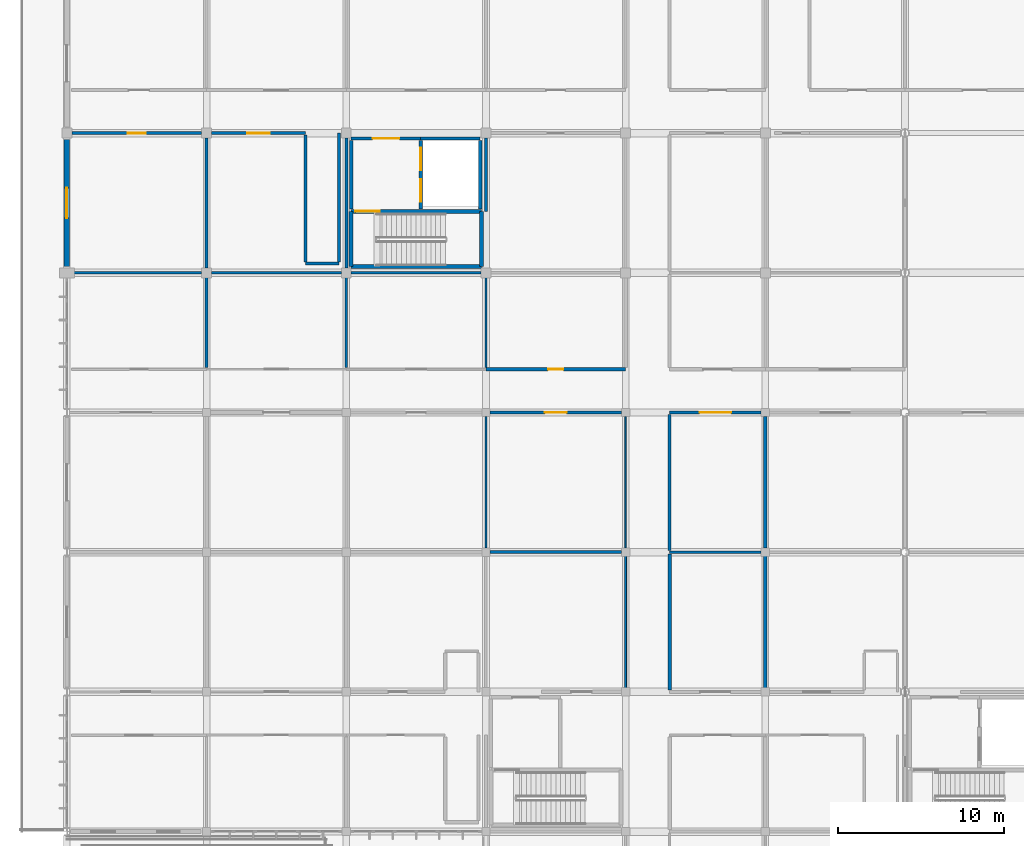
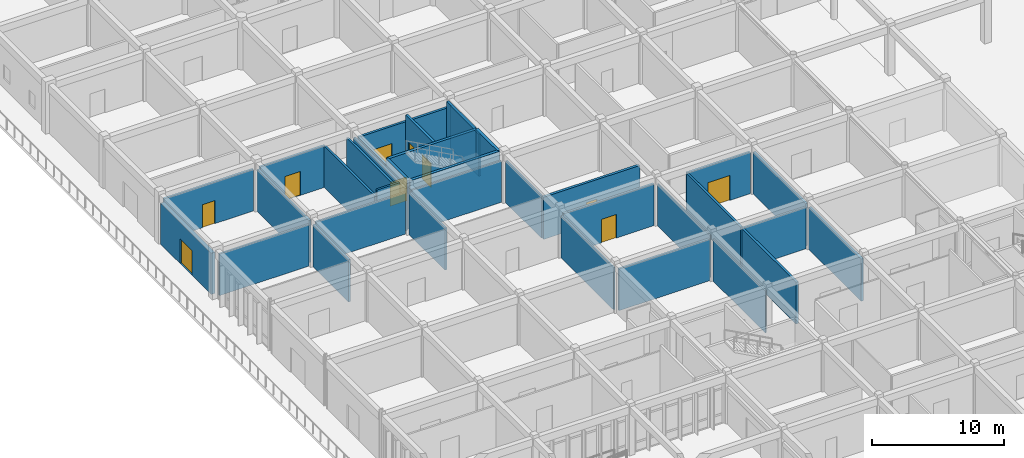
# One storey, part 92 of 138: 36 walls, 10 doors, 10 openings.
"""IFC4 building model written with IfcOpenShell, lengths in metres."""

import ifcopenshell
import ifcopenshell.guid

model = None  # the IFC model being written
_history = None  # IfcOwnerHistory: only IFC2X3 demands one
_inside = {}  # id of a spatial element -> (the spatial element, [elements in it])
_under = {}  # id of a project, library or spatial element -> (it, [spatial elements below it])
_declared = {}  # id of a project -> (the project, [libraries it declares])
_typed = {}  # id of a type object -> (the type object, [elements of that type])
_made_of = {}  # id of a material, layer set ... -> (it, [elements and type objects made of it])


def new_model(schema):
    """Start an empty IFC model of exactly this schema.

    Asked for "IFC4X3", IfcOpenShell would pick the latest addendum, in which some entities
    have other attributes; the version numbers below select the first issue.
    IFC2X3 requires an IfcOwnerHistory on every rooted entity: one is made here for all.
    """
    global model, _history
    if schema == "IFC4X3":
        model = ifcopenshell.file(schema_version=(4, 3, 0, 0))
    else:
        model = ifcopenshell.file(schema=schema)
    _inside.clear()
    _under.clear()
    _declared.clear()
    _typed.clear()
    _made_of.clear()
    _history = None
    if model.schema == "IFC2X3":
        org = make("IfcOrganization", Name="unknown")
        user = make(
            "IfcPersonAndOrganization",
            ThePerson=make("IfcPerson", FamilyName="unknown"),
            TheOrganization=org,
        )
        app = make(
            "IfcApplication",
            ApplicationDeveloper=org,
            Version="unknown",
            ApplicationFullName="unknown",
            ApplicationIdentifier="unknown",
        )
        _history = make(
            "IfcOwnerHistory",
            OwningUser=user,
            OwningApplication=app,
            ChangeAction="ADDED",
            CreationDate=0,
        )
    return model


def make(cls, **values):
    """One entity of the class cls with the attributes given. An attribute that is None is left unset."""
    return model.create_entity(
        cls, **{name: value for name, value in values.items() if value is not None}
    )


def rooted(cls, **values):
    """An entity with a GlobalId (a new one), such as an element, a storey or a relation."""
    return make(cls, GlobalId=ifcopenshell.guid.new(), OwnerHistory=_history, **values)


def si_unit(unit_type, name, prefix=None):
    """IfcSIUnit, for example si_unit("LENGTHUNIT", "METRE", prefix="MILLI")."""
    return make("IfcSIUnit", UnitType=unit_type, Prefix=prefix, Name=name)


def assignment(units):
    """IfcUnitAssignment: the units of a project."""
    return None if units is None else make("IfcUnitAssignment", Units=units)


def point(xyz):
    """IfcCartesianPoint."""
    return None if xyz is None else make("IfcCartesianPoint", Coordinates=xyz)


def direction(xyz):
    """IfcDirection."""
    return None if xyz is None else make("IfcDirection", DirectionRatios=xyz)


def frame(location, z_axis=None, x_axis=None):
    """IfcAxis2Placement3D, a coordinate frame: its origin and axes. An axis left out is left unset."""
    return make(
        "IfcAxis2Placement3D",
        Location=point(location),
        Axis=direction(z_axis),
        RefDirection=direction(x_axis),
    )


def frame_2d(location, x_axis=None):
    """IfcAxis2Placement2D, a coordinate frame in the plane: its origin and x axis."""
    return make(
        "IfcAxis2Placement2D", Location=point(location), RefDirection=direction(x_axis)
    )


def origin():
    """The frame at (0, 0, 0) with its axes left unset."""
    return frame((0.0, 0.0, 0.0))


def place(relative_to, where):
    """IfcLocalPlacement: puts the frame where relative to a parent placement (None: the world)."""
    return make(
        "IfcLocalPlacement", PlacementRelTo=relative_to, RelativePlacement=where
    )


def context(
    kind, dimensions, precision=None, world=None, true_north=None, identifier=None
):
    """IfcGeometricRepresentationContext, for example the 3D "Model" context."""
    return make(
        "IfcGeometricRepresentationContext",
        ContextIdentifier=identifier,
        ContextType=kind,
        CoordinateSpaceDimension=dimensions,
        Precision=precision,
        WorldCoordinateSystem=world,
        TrueNorth=true_north,
    )


def subcontext(parent, identifier, kind, view, scale=None):
    """IfcGeometricRepresentationSubContext, for example "Body" below "Model"."""
    return make(
        "IfcGeometricRepresentationSubContext",
        ContextIdentifier=identifier,
        ContextType=kind,
        ParentContext=parent,
        TargetScale=scale,
        TargetView=view,
    )


def project(units=None, contexts=None):
    """IfcProject with its units and contexts."""
    return rooted(
        "IfcProject",
        Name="project",
        RepresentationContexts=contexts,
        UnitsInContext=assignment(units),
    )


def spatial(cls, under=None, at=None, **own):
    """A site, building, storey or space (cls), placed at a placement, below another one or the project."""
    s = rooted(cls, ObjectPlacement=at, **own)
    if under is not None:
        _under.setdefault(under.id(), (under, []))[1].append(s)
    return s


def profile(cls, at=None, kind="AREA", **sizes):
    """A parametric profile (cls). Its sizes go by their IFC names, for example OverallWidth=200.0."""
    return make(cls, ProfileType=kind, Position=at, **sizes)


def rectangle(**sizes):
    """IfcRectangleProfileDef."""
    return profile("IfcRectangleProfileDef", **sizes)


def extrude(swept, where, along, depth):
    """IfcExtrudedAreaSolid: the profile swept, set in the frame where, extruded along a direction by depth."""
    return make(
        "IfcExtrudedAreaSolid",
        SweptArea=swept,
        Position=where,
        ExtrudedDirection=direction(along),
        Depth=depth,
    )


def shape(context_of_items, identifier, shape_type, items):
    """IfcShapeRepresentation: the items that make up one representation, for example the "Body"."""
    return make(
        "IfcShapeRepresentation",
        ContextOfItems=context_of_items,
        RepresentationIdentifier=identifier,
        RepresentationType=shape_type,
        Items=items,
    )


def material(Name=None, Category=None):
    """IfcMaterial."""
    return make("IfcMaterial", Name=Name, Category=Category)


def layer(
    of_material, thickness, ventilated=None, Name=None, Category=None, Priority=None
):
    """IfcMaterialLayer: one layer of a wall or slab, of a material (None: an air gap)."""
    return make(
        "IfcMaterialLayer",
        Material=of_material,
        LayerThickness=thickness,
        IsVentilated=ventilated,
        Name=Name,
        Category=Category,
        Priority=Priority,
    )


def layer_set(layers, Name=None):
    """IfcMaterialLayerSet."""
    return make("IfcMaterialLayerSet", MaterialLayers=layers, LayerSetName=Name)


def made_of(thing, what):
    """Note that an element or type object is made of a material, layer set ...; save() writes the relation."""
    if what is not None:
        _made_of.setdefault(what.id(), (what, []))[1].append(thing)
    return thing


def type_object(cls, material=None, **own):
    """A type object (cls), such as IfcWallType, which elements share."""
    return made_of(rooted(cls, **own), material)


def element(
    cls,
    number,
    at=None,
    inside=None,
    cuts=None,
    type_object=None,
    material=None,
    context=None,
    identifier="Body",
    shape_type=None,
    held_by="IfcProductDefinitionShape",
    body=None,
    shapes=None,
    **own,
):
    """One element of the class cls, such as IfcWall. Its Tag is "e" and its number.

    at: its placement. inside: the storey or other place that contains it. cuts: it is an
    opening in that element (IfcRelVoidsElement). A single representation is given by context,
    identifier, shape_type and body (its items); several are given by shapes. held_by: the class
    of the entity that holds the representations. save() writes the other relations.
    """
    e = rooted(cls, Tag="e%d" % number, ObjectPlacement=at, **own)
    if body is not None:
        shapes = [shape(context, identifier, shape_type, body)]
    if shapes is not None:
        e.Representation = make(held_by, Representations=shapes)
    if inside is not None:
        _inside.setdefault(inside.id(), (inside, []))[1].append(e)
    if cuts is not None:
        rooted(
            "IfcRelVoidsElement", RelatingBuildingElement=cuts, RelatedOpeningElement=e
        )
    if type_object is not None:
        _typed.setdefault(type_object.id(), (type_object, []))[1].append(e)
    return made_of(e, material)


def fill(opening, filler):
    """IfcRelFillsElement: the door or window that sits in an opening."""
    return rooted(
        "IfcRelFillsElement",
        RelatingOpeningElement=opening,
        RelatedBuildingElement=filler,
    )


def aggregate(whole, parts):
    """IfcRelAggregates: a whole, such as a stair, and the parts it consists of."""
    return rooted("IfcRelAggregates", RelatingObject=whole, RelatedObjects=parts)


def save(model, path):
    """Write the relations noted so far, then the file.

    IfcRelAggregates (storeys below a building ...), IfcRelContainedInSpatialStructure (elements
    in a storey), IfcRelDefinesByType, IfcRelAssociatesMaterial and IfcRelDeclares: one each for
    every whole, place, type object, material and project.
    """
    for whole, parts in _under.values():
        aggregate(whole, parts)
    for where, things in _inside.values():
        rooted(
            "IfcRelContainedInSpatialStructure",
            RelatedElements=things,
            RelatingStructure=where,
        )
    for kind, things in _typed.values():
        rooted("IfcRelDefinesByType", RelatedObjects=things, RelatingType=kind)
    for what, things in _made_of.values():
        rooted("IfcRelAssociatesMaterial", RelatedObjects=things, RelatingMaterial=what)
    for by, libraries in _declared.values():
        rooted("IfcRelDeclares", RelatingContext=by, RelatedDefinitions=libraries)
    model.write(path)


model = new_model("IFC4")

# Units and contexts
model_context = context("Model", 3, precision=1e-05, world=origin(), true_north=direction((0.0, 1.0)))
body_context = subcontext(model_context, "Body", "Model", "MODEL_VIEW")
ifc_project = project(units=[si_unit("LENGTHUNIT", "METRE"), si_unit("AREAUNIT", "SQUARE_METRE"), si_unit("VOLUMEUNIT", "CUBIC_METRE"), si_unit("PLANEANGLEUNIT", "RADIAN"), si_unit("MASSUNIT", "GRAM", prefix="KILO")], contexts=[model_context])

# Site, building, storey
site_placement = place(None, origin())
site = spatial("IfcSite", under=ifc_project, at=site_placement, CompositionType="ELEMENT")
building_placement = place(site_placement, origin())
building = spatial("IfcBuilding", under=site, at=building_placement, Name="Bramfleet General Hospital", CompositionType="ELEMENT")
storey_placement = place(building_placement, origin())
storey = spatial("IfcBuildingStorey", under=building, at=storey_placement, Name="L00", CompositionType="ELEMENT", Elevation=0.0)

# Wall, opening, door
ifc_material_1 = material(Name="Precast concrete C40/50", Category="concrete")
ifc_layer_1 = layer(ifc_material_1, 0.3349609375, Name="WT-EW-03")
ifc_layer_set_1 = layer_set([ifc_layer_1], Name="Precast concrete C40/50")
wall_type_1 = type_object("IfcWallType", Name="WT-EW-03", PredefinedType="SOLIDWALL", material=ifc_layer_set_1)
wall_1_placement = place(storey_placement, frame((0.0, 50.77490234375, 0.0), z_axis=(0.0, 0.0, 1.0), x_axis=(0.0, 1.0, 0.0)))
wall_1 = element("IfcWall", 1, at=wall_1_placement, inside=storey, type_object=wall_type_1, Name="L00 Exterior Wall 99", PredefinedType="SOLIDWALL", context=body_context, shape_type="SweptSolid", body=[
    extrude(rectangle(XDim=7.650146484375, YDim=0.3349609375, at=frame_2d((3.8251953125, 0.0))), origin(), (0.0, 0.0, 1.0), 3.7900390625),
])
opening_1_placement = place(wall_1_placement, frame((2.9150390625, 0.0, 0.0)))
opening_1 = element("IfcOpeningElement", 2, at=opening_1_placement, cuts=wall_1, Name="Opening D-L00-EXT-003", PredefinedType="OPENING", context=body_context, shape_type="SweptSolid", body=[
    extrude(rectangle(XDim=1.820068359375, YDim=2.280029296875, at=frame_2d((0.91015625, 1.14013671875))), frame((0.0, 0.177490234375, 0.0), z_axis=(0.0, -1.0, 0.0), x_axis=(1.0, 0.0, 0.0)), (0.0, 0.0, 1.0), 0.35498046875),
])
ifc_material_2 = material(Name="Thermally broken steel and laminated safety glass", Category="steel")
door_type_1 = type_object("IfcDoorType", Name="DR-ED-02", OperationType="NOTDEFINED", PredefinedType="DOOR", material=ifc_material_2)
door_1_placement = place(opening_1_placement, origin())
door_1 = element("IfcDoor", 3, at=door_1_placement, inside=storey, type_object=door_type_1, Name="Ground Exterior Pedestrian Door D-L00-EXT-003", OperationType="DOUBLE_SWING_LEFT", OverallHeight=2.280029296875, OverallWidth=1.820068359375, PredefinedType="DOOR", context=body_context, shape_type="SweptSolid", body=[
    extrude(rectangle(XDim=1.820068359375, YDim=2.280029296875, at=frame_2d((0.91015625, 1.14013671875))), frame((0.0, 0.02490234375, 0.0), z_axis=(0.0, -1.0, 0.0), x_axis=(1.0, 0.0, 0.0)), (0.0, 0.0, 1.0), 0.050048828125),
])
fill(opening_1, door_1)

ifc_material_3 = material(Name="Concrete C35/45", Category="concrete")
ifc_layer_2 = layer(ifc_material_3, 0.219970703125, Name="WT-IW-01")
ifc_layer_set_2 = layer_set([ifc_layer_2], Name="Concrete C35/45")
wall_type_2 = type_object("IfcWallType", Name="WT-IW-01", PredefinedType="PARTITIONING", material=ifc_layer_set_2)
wall_2_placement = place(storey_placement, frame((25.199951171875, 44.60009765625, 0.0), z_axis=(0.0, 0.0, 1.0), x_axis=(1.0, 0.0, 0.0)))
wall_2 = element("IfcWall", 4, at=wall_2_placement, inside=storey, type_object=wall_type_2, Name="L00 Interior Partition IW-L00-0697", PredefinedType="PARTITIONING", context=body_context, shape_type="SweptSolid", body=[
    extrude(rectangle(XDim=8.400146484375, YDim=0.219970703125, at=frame_2d((4.2001953125, 0.0))), origin(), (0.0, 0.0, 1.0), 3.889892578125),
])
opening_2_placement = place(wall_2_placement, frame((3.739990234375, 0.0, 0.0)))
opening_2 = element("IfcOpeningElement", 5, at=opening_2_placement, cuts=wall_2, Name="Opening D0441", PredefinedType="OPENING", context=body_context, shape_type="SweptSolid", body=[
    extrude(rectangle(XDim=0.919921875, YDim=2.080078125, at=frame_2d((0.4599609375, 1.0400390625))), frame((0.0, 0.119873046875, 0.0), z_axis=(0.0, -1.0, 0.0), x_axis=(1.0, 0.0, 0.0)), (0.0, 0.0, 1.0), 0.239990234375),
])
ifc_material_4 = material(Name="Stainless steel and acoustic timber leaf", Category="steel")
door_type_2 = type_object("IfcDoorType", Name="DR-D-25", OperationType="NOTDEFINED", PredefinedType="DOOR", material=ifc_material_4)
door_2_placement = place(opening_2_placement, origin())
door_2 = element("IfcDoor", 6, at=door_2_placement, inside=storey, type_object=door_type_2, Name="Emergency Department Exam Room 0305 Door D0441", OperationType="SINGLE_SWING_RIGHT", OverallHeight=2.080078125, OverallWidth=0.919921875, PredefinedType="DOOR", context=body_context, shape_type="SweptSolid", body=[
    extrude(rectangle(XDim=0.919921875, YDim=2.080078125, at=frame_2d((0.4599609375, 1.0400390625))), frame((0.0, 0.02490234375, 0.0), z_axis=(0.0, -1.0, 0.0), x_axis=(1.0, 0.0, 0.0)), (0.0, 0.0, 1.0), 0.050048828125),
])
fill(opening_2, door_2)

# Wall, openings, doors
ifc_layer_3 = layer(ifc_material_3, 0.205078125, Name="WT-IW-02")
ifc_layer_set_3 = layer_set([ifc_layer_3], Name="Concrete C35/45")
wall_type_3 = type_object("IfcWallType", Name="WT-IW-02", PredefinedType="PARTITIONING", material=ifc_layer_set_3)
wall_3_placement = place(storey_placement, frame((21.280029296875, 54.239990234375, 0.0), z_axis=(0.0, 0.0, 1.0), x_axis=(0.0, 1.0, 0.0)))
wall_3 = element("IfcWall", 7, at=wall_3_placement, inside=storey, type_object=wall_type_3, Name="L00 C2 Lobby East Shaft Wall", PredefinedType="PARTITIONING", context=body_context, shape_type="SweptSolid", body=[
    extrude(rectangle(XDim=4.1201171875, YDim=0.205078125, at=frame_2d((2.06005859375, 0.0))), origin(), (0.0, 0.0, 1.0), 4.489990234375),
])
opening_3_placement = place(wall_3_placement, frame((0.445068359375, 0.0, 0.0)))
opening_3 = element("IfcOpeningElement", 8, at=opening_3_placement, cuts=wall_3, Name="Opening LD-BL-01-L00", PredefinedType="OPENING", context=body_context, shape_type="SweptSolid", body=[
    extrude(rectangle(XDim=1.35009765625, YDim=2.199951171875, at=frame_2d((0.675048828125, 1.10009765625))), frame((0.0, 0.112548828125, 0.0), z_axis=(0.0, -1.0, 0.0), x_axis=(1.0, 0.0, 0.0)), (0.0, 0.0, 1.0), 0.22509765625),
])
opening_4_placement = place(wall_3_placement, frame((2.324951171875, 0.0, 0.0)))
opening_4 = element("IfcOpeningElement", 9, at=opening_4_placement, cuts=wall_3, Name="Opening LD-GL-01-L00", PredefinedType="OPENING", context=body_context, shape_type="SweptSolid", body=[
    extrude(rectangle(XDim=1.35009765625, YDim=2.199951171875, at=frame_2d((0.675048828125, 1.10009765625))), frame((0.0, 0.112548828125, 0.0), z_axis=(0.0, -1.0, 0.0), x_axis=(1.0, 0.0, 0.0)), (0.0, 0.0, 1.0), 0.22509765625),
])
ifc_material_5 = material(Name="Brushed stainless steel 1.4301", Category="steel")
door_type_3 = type_object("IfcDoorType", Name="DR-LD-01", OperationType="NOTDEFINED", PredefinedType="DOOR", material=ifc_material_5)
door_3_placement = place(opening_3_placement, origin())
door_3 = element("IfcDoor", 10, at=door_3_placement, inside=storey, type_object=door_type_3, Name="L00 Lift BL-01 Sliding Landing Door", OperationType="SLIDING_TO_LEFT", OverallHeight=2.199951171875, OverallWidth=1.35009765625, PredefinedType="DOOR", context=body_context, shape_type="SweptSolid", body=[
    extrude(rectangle(XDim=1.35009765625, YDim=2.199951171875, at=frame_2d((0.675048828125, 1.10009765625))), frame((0.0, 0.02490234375, 0.0), z_axis=(0.0, -1.0, 0.0), x_axis=(1.0, 0.0, 0.0)), (0.0, 0.0, 1.0), 0.050048828125),
])
fill(opening_3, door_3)
door_4_placement = place(opening_4_placement, origin())
door_4 = element("IfcDoor", 11, at=door_4_placement, inside=storey, type_object=door_type_3, Name="L00 Lift GL-01 Sliding Landing Door", OperationType="SLIDING_TO_LEFT", OverallHeight=2.199951171875, OverallWidth=1.35009765625, PredefinedType="DOOR", context=body_context, shape_type="SweptSolid", body=[
    extrude(rectangle(XDim=1.35009765625, YDim=2.199951171875, at=frame_2d((0.675048828125, 1.10009765625))), frame((0.0, 0.02490234375, 0.0), z_axis=(0.0, -1.0, 0.0), x_axis=(1.0, 0.0, 0.0)), (0.0, 0.0, 1.0), 0.050048828125),
])
fill(opening_4, door_4)

# Walls
wall_4_placement = place(storey_placement, frame((24.85009765625, 54.239990234375, 0.0), z_axis=(0.0, 0.0, 1.0), x_axis=(0.0, 1.0, 0.0)))
element("IfcWall", 12, at=wall_4_placement, inside=storey, type_object=wall_type_3, Name="L00 C2 Lift Shaft East Wall", PredefinedType="PARTITIONING", context=body_context, shape_type="SweptSolid", body=[
    extrude(rectangle(XDim=4.1201171875, YDim=0.205078125, at=frame_2d((2.06005859375, 0.0))), origin(), (0.0, 0.0, 1.0), 4.489990234375),
])
wall_5_placement = place(storey_placement, frame((21.280029296875, 58.47998046875, 0.0), z_axis=(0.0, 0.0, 1.0), x_axis=(1.0, 0.0, 0.0)))
element("IfcWall", 13, at=wall_5_placement, inside=storey, type_object=wall_type_3, Name="L00 C2 Lift Shaft North Wall", PredefinedType="PARTITIONING", context=body_context, shape_type="SweptSolid", body=[
    extrude(rectangle(XDim=3.570068359375, YDim=0.205078125, at=frame_2d((1.78515625, 0.0))), origin(), (0.0, 0.0, 1.0), 3.840087890625),
])
wall_6_placement = place(storey_placement, frame((17.10009765625, 54.239990234375, 0.0), z_axis=(0.0, 0.0, 1.0), x_axis=(0.0, 1.0, 0.0)))
element("IfcWall", 14, at=wall_6_placement, inside=storey, type_object=wall_type_3, Name="L00 C2 Lobby West Compartment Wall", PredefinedType="PARTITIONING", context=body_context, shape_type="SweptSolid", body=[
    extrude(rectangle(XDim=4.1201171875, YDim=0.205078125, at=frame_2d((2.06005859375, 0.0))), origin(), (0.0, 0.0, 1.0), 3.889892578125),
])

# Wall, opening, door
wall_7_placement = place(storey_placement, frame((17.10009765625, 58.47998046875, 0.0), z_axis=(0.0, 0.0, 1.0), x_axis=(1.0, 0.0, 0.0)))
wall_7 = element("IfcWall", 15, at=wall_7_placement, inside=storey, type_object=wall_type_3, Name="L00 C2 Lobby North Compartment Wall", PredefinedType="PARTITIONING", context=body_context, shape_type="SweptSolid", body=[
    extrude(rectangle(XDim=4.179931640625, YDim=0.205078125, at=frame_2d((2.08984375, 0.0))), origin(), (0.0, 0.0, 1.0), 3.840087890625),
])
opening_5_placement = place(wall_7_placement, frame((1.2900390625, 0.0, 0.0)))
opening_5 = element("IfcOpeningElement", 16, at=opening_5_placement, cuts=wall_7, Name="Opening D0012", PredefinedType="OPENING", context=body_context, shape_type="SweptSolid", body=[
    extrude(rectangle(XDim=1.60009765625, YDim=2.25, at=frame_2d((0.800048828125, 1.125))), frame((0.0, 0.112548828125, 0.0), z_axis=(0.0, -1.0, 0.0), x_axis=(1.0, 0.0, 0.0)), (0.0, 0.0, 1.0), 0.22509765625),
])
door_type_4 = type_object("IfcDoorType", Name="DR-D-04", OperationType="NOTDEFINED", PredefinedType="DOOR", material=ifc_material_4)
door_5_placement = place(opening_5_placement, origin())
door_5 = element("IfcDoor", 17, at=door_5_placement, inside=storey, type_object=door_type_4, Name="L00 C2 Lobby Fire Door D0012", OperationType="DOUBLE_SWING_LEFT", OverallHeight=2.25, OverallWidth=1.60009765625, PredefinedType="DOOR", context=body_context, shape_type="SweptSolid", body=[
    extrude(rectangle(XDim=1.60009765625, YDim=2.25, at=frame_2d((0.800048828125, 1.125))), frame((0.0, 0.02490234375, 0.0), z_axis=(0.0, -1.0, 0.0), x_axis=(1.0, 0.0, 0.0)), (0.0, 0.0, 1.0), 0.050048828125),
])
fill(opening_5, door_5)

# Walls
wall_8_placement = place(storey_placement, frame((36.25, 25.31494140625, 0.0), z_axis=(0.0, 0.0, 1.0), x_axis=(0.0, 1.0, 0.0)))
element("IfcWall", 18, at=wall_8_placement, inside=storey, type_object=wall_type_3, Name="L00 Interior Partition IW-L00-0974", PredefinedType="PARTITIONING", context=body_context, shape_type="SweptSolid", body=[
    extrude(rectangle(XDim=8.170166015625, YDim=0.205078125, at=frame_2d((4.0849609375, 0.0))), origin(), (0.0, 0.0, 1.0), 3.840087890625),
])
wall_9_placement = place(storey_placement, frame((42.0, 25.445068359375, 0.0), z_axis=(0.0, 0.0, 1.0), x_axis=(0.0, 1.0, 0.0)))
element("IfcWall", 19, at=wall_9_placement, inside=storey, type_object=wall_type_3, Name="L00 Interior Partition IW-L00-0986", PredefinedType="PARTITIONING", context=body_context, shape_type="SweptSolid", body=[
    extrude(rectangle(XDim=7.909912109375, YDim=0.205078125, at=frame_2d((3.955078125, 0.0))), origin(), (0.0, 0.0, 1.0), 3.889892578125),
])

# Wall, opening, door
ifc_layer_4 = layer(ifc_material_3, 0.18994140625, Name="WT-IW-03")
ifc_layer_set_4 = layer_set([ifc_layer_4], Name="Concrete C35/45")
wall_type_4 = type_object("IfcWallType", Name="WT-IW-03", PredefinedType="PARTITIONING", material=ifc_layer_set_4)
wall_10_placement = place(storey_placement, frame((25.445068359375, 42.0, 0.0), z_axis=(0.0, 0.0, 1.0), x_axis=(1.0, 0.0, 0.0)))
wall_10 = element("IfcWall", 20, at=wall_10_placement, inside=storey, type_object=wall_type_4, Name="L00 Interior Partition IW-L00-0687", PredefinedType="PARTITIONING", context=body_context, shape_type="SweptSolid", body=[
    extrude(rectangle(XDim=7.909912109375, YDim=0.18994140625, at=frame_2d((3.955078125, 0.0))), origin(), (0.0, 0.0, 1.0), 3.840087890625),
])
opening_6_placement = place(wall_10_placement, frame((3.294921875, 0.0, 0.0)))
opening_6 = element("IfcOpeningElement", 21, at=opening_6_placement, cuts=wall_10, Name="Opening D0440", PredefinedType="OPENING", context=body_context, shape_type="SweptSolid", body=[
    extrude(rectangle(XDim=1.320068359375, YDim=2.179931640625, at=frame_2d((0.66015625, 1.08984375))), frame((0.0, 0.10498046875, 0.0), z_axis=(0.0, -1.0, 0.0), x_axis=(1.0, 0.0, 0.0)), (0.0, 0.0, 1.0), 0.2099609375),
])
door_type_5 = type_object("IfcDoorType", Name="DR-D-24", OperationType="NOTDEFINED", PredefinedType="DOOR", material=ifc_material_4)
door_6_placement = place(opening_6_placement, origin())
door_6 = element("IfcDoor", 22, at=door_6_placement, inside=storey, type_object=door_type_5, Name="Emergency Department Exam Room 0304 Door D0440", OperationType="SINGLE_SWING_LEFT", OverallHeight=2.179931640625, OverallWidth=1.320068359375, PredefinedType="DOOR", context=body_context, shape_type="SweptSolid", body=[
    extrude(rectangle(XDim=1.320068359375, YDim=2.179931640625, at=frame_2d((0.66015625, 1.08984375))), frame((0.0, 0.02490234375, 0.0), z_axis=(0.0, -1.0, 0.0), x_axis=(1.0, 0.0, 0.0)), (0.0, 0.0, 1.0), 0.050048828125),
])
fill(opening_6, door_6)

# Walls
wall_11_placement = place(storey_placement, frame((8.39990234375, 44.715087890625, 0.0), z_axis=(0.0, 0.0, 1.0), x_axis=(0.0, 1.0, 0.0)))
element("IfcWall", 23, at=wall_11_placement, inside=storey, type_object=wall_type_4, Name="L00 Interior Partition IW-L00-0915", PredefinedType="PARTITIONING", context=body_context, shape_type="SweptSolid", body=[
    extrude(rectangle(XDim=5.389892578125, YDim=0.18994140625, at=frame_2d((2.69482421875, 0.0))), origin(), (0.0, 0.0, 1.0), 3.889892578125),
])
wall_12_placement = place(storey_placement, frame((36.25, 33.715087890625, 0.0), z_axis=(0.0, 0.0, 1.0), x_axis=(0.0, 1.0, 0.0)))
element("IfcWall", 24, at=wall_12_placement, inside=storey, type_object=wall_type_4, Name="L00 Interior Partition IW-L00-0975", PredefinedType="PARTITIONING", context=body_context, shape_type="SweptSolid", body=[
    extrude(rectangle(XDim=8.169921875, YDim=0.18994140625, at=frame_2d((4.0849609375, 0.0))), origin(), (0.0, 0.0, 1.0), 3.840087890625),
])
wall_13_placement = place(storey_placement, frame((42.0, 33.844970703125, 0.0), z_axis=(0.0, 0.0, 1.0), x_axis=(0.0, 1.0, 0.0)))
element("IfcWall", 25, at=wall_13_placement, inside=storey, type_object=wall_type_4, Name="L00 Interior Partition IW-L00-0987", PredefinedType="PARTITIONING", context=body_context, shape_type="SweptSolid", body=[
    extrude(rectangle(XDim=7.909912109375, YDim=0.18994140625, at=frame_2d((3.955078125, 0.0))), origin(), (0.0, 0.0, 1.0), 3.889892578125),
])
ifc_layer_5 = layer(ifc_material_3, 0.179931640625, Name="WT-IW-04")
ifc_layer_set_5 = layer_set([ifc_layer_5], Name="Concrete C35/45")
wall_type_5 = type_object("IfcWallType", Name="WT-IW-04", PredefinedType="PARTITIONING", material=ifc_layer_set_5)
wall_14_placement = place(storey_placement, frame((25.445068359375, 33.60009765625, 0.0), z_axis=(0.0, 0.0, 1.0), x_axis=(1.0, 0.0, 0.0)))
element("IfcWall", 26, at=wall_14_placement, inside=storey, type_object=wall_type_5, Name="L00 Interior Partition IW-L00-0676", PredefinedType="PARTITIONING", context=body_context, shape_type="SweptSolid", body=[
    extrude(rectangle(XDim=7.909912109375, YDim=0.179931640625, at=frame_2d((3.955078125, 0.0))), origin(), (0.0, 0.0, 1.0), 3.840087890625),
])

# Wall, opening, door
wall_15_placement = place(storey_placement, frame((36.25, 42.0, 0.0), z_axis=(0.0, 0.0, 1.0), x_axis=(1.0, 0.0, 0.0)))
wall_15 = element("IfcWall", 27, at=wall_15_placement, inside=storey, type_object=wall_type_5, Name="L00 Interior Partition IW-L00-0688", PredefinedType="PARTITIONING", context=body_context, shape_type="SweptSolid", body=[
    extrude(rectangle(XDim=5.5048828125, YDim=0.179931640625, at=frame_2d((2.75244140625, 0.0))), origin(), (0.0, 0.0, 1.0), 3.840087890625),
])
opening_7_placement = place(wall_15_placement, frame((1.802490234375, 0.0, 0.0)))
opening_7 = element("IfcOpeningElement", 28, at=opening_7_placement, cuts=wall_15, Name="Opening D0454", PredefinedType="OPENING", context=body_context, shape_type="SweptSolid", body=[
    extrude(rectangle(XDim=1.89990234375, YDim=2.300048828125, at=frame_2d((0.949951171875, 1.14990234375))), frame((0.0, 0.099853515625, 0.0), z_axis=(0.0, -1.0, 0.0), x_axis=(1.0, 0.0, 0.0)), (0.0, 0.0, 1.0), 0.199951171875),
])
door_type_6 = type_object("IfcDoorType", Name="DR-D-06", OperationType="NOTDEFINED", PredefinedType="DOOR", material=ifc_material_4)
door_7_placement = place(opening_7_placement, origin())
door_7 = element("IfcDoor", 29, at=door_7_placement, inside=storey, type_object=door_type_6, Name="Emergency Department Exam Room 0404 Door D0454", OperationType="DOUBLE_SWING_LEFT", OverallHeight=2.300048828125, OverallWidth=1.89990234375, PredefinedType="DOOR", context=body_context, shape_type="SweptSolid", body=[
    extrude(rectangle(XDim=1.89990234375, YDim=2.300048828125, at=frame_2d((0.949951171875, 1.14990234375))), frame((0.0, 0.02490234375, 0.0), z_axis=(0.0, -1.0, 0.0), x_axis=(1.0, 0.0, 0.0)), (0.0, 0.0, 1.0), 0.050048828125),
])
fill(opening_7, door_7)

# Wall
wall_16_placement = place(storey_placement, frame((14.35009765625, 50.949951171875, 0.0), z_axis=(0.0, 0.0, 1.0), x_axis=(1.0, 0.0, 0.0)))
element("IfcWall", 30, at=wall_16_placement, inside=storey, type_object=wall_type_5, Name="L00 Interior Partition IW-L00-0710", PredefinedType="PARTITIONING", context=body_context, shape_type="SweptSolid", body=[
    extrude(rectangle(XDim=2.0, YDim=0.179931640625, at=frame_2d((1.0, 0.0))), origin(), (0.0, 0.0, 1.0), 4.489990234375),
])

# Wall, opening, door
wall_17_placement = place(storey_placement, frame((0.294921875, 58.800048828125, 0.0), z_axis=(0.0, 0.0, 1.0), x_axis=(1.0, 0.0, 0.0)))
wall_17 = element("IfcWall", 31, at=wall_17_placement, inside=storey, type_object=wall_type_5, Name="L00 Interior Partition IW-L00-0711", PredefinedType="PARTITIONING", context=body_context, shape_type="SweptSolid", body=[
    extrude(rectangle(XDim=7.81005859375, YDim=0.179931640625, at=frame_2d((3.905029296875, 0.0))), origin(), (0.0, 0.0, 1.0), 3.840087890625),
])
opening_8_placement = place(wall_17_placement, frame((3.364990234375, 0.0, 0.0)))
opening_8 = element("IfcOpeningElement", 32, at=opening_8_placement, cuts=wall_17, Name="Opening D0406", PredefinedType="OPENING", context=body_context, shape_type="SweptSolid", body=[
    extrude(rectangle(XDim=1.080078125, YDim=2.1201171875, at=frame_2d((0.5400390625, 1.06005859375))), frame((0.0, 0.099853515625, 0.0), z_axis=(0.0, -1.0, 0.0), x_axis=(1.0, 0.0, 0.0)), (0.0, 0.0, 1.0), 0.199951171875),
])
door_type_7 = type_object("IfcDoorType", Name="DR-D-22", OperationType="NOTDEFINED", PredefinedType="DOOR", material=ifc_material_4)
door_8_placement = place(opening_8_placement, origin())
door_8 = element("IfcDoor", 33, at=door_8_placement, inside=storey, type_object=door_type_7, Name="Diagnostic Imaging CT and Radiography 0006 Door D0406", OperationType="SINGLE_SWING_LEFT", OverallHeight=2.1201171875, OverallWidth=1.080078125, PredefinedType="DOOR", context=body_context, shape_type="SweptSolid", body=[
    extrude(rectangle(XDim=1.080078125, YDim=2.1201171875, at=frame_2d((0.5400390625, 1.06005859375))), frame((0.0, 0.02490234375, 0.0), z_axis=(0.0, -1.0, 0.0), x_axis=(1.0, 0.0, 0.0)), (0.0, 0.0, 1.0), 0.050048828125),
])
fill(opening_8, door_8)

wall_18_placement = place(storey_placement, frame((8.695068359375, 58.800048828125, 0.0), z_axis=(0.0, 0.0, 1.0), x_axis=(1.0, 0.0, 0.0)))
wall_18 = element("IfcWall", 34, at=wall_18_placement, inside=storey, type_object=wall_type_5, Name="L00 Interior Partition IW-L00-0712", PredefinedType="PARTITIONING", context=body_context, shape_type="SweptSolid", body=[
    extrude(rectangle(XDim=5.655029296875, YDim=0.179931640625, at=frame_2d((2.82763671875, 0.0))), origin(), (0.0, 0.0, 1.0), 3.840087890625),
])
opening_9_placement = place(wall_18_placement, frame((2.152587890625, 0.0, 0.0)))
opening_9 = element("IfcOpeningElement", 35, at=opening_9_placement, cuts=wall_18, Name="Opening D0418", PredefinedType="OPENING", context=body_context, shape_type="SweptSolid", body=[
    extrude(rectangle(XDim=1.35009765625, YDim=2.199951171875, at=frame_2d((0.675048828125, 1.10009765625))), frame((0.0, 0.099853515625, 0.0), z_axis=(0.0, -1.0, 0.0), x_axis=(1.0, 0.0, 0.0)), (0.0, 0.0, 1.0), 0.199951171875),
])
door_type_8 = type_object("IfcDoorType", Name="DR-D-02", OperationType="NOTDEFINED", PredefinedType="DOOR", material=ifc_material_4)
door_9_placement = place(opening_9_placement, origin())
door_9 = element("IfcDoor", 36, at=door_9_placement, inside=storey, type_object=door_type_8, Name="Diagnostic Imaging CT and Radiography 0106 Door D0418", OperationType="SINGLE_SWING_LEFT", OverallHeight=2.199951171875, OverallWidth=1.35009765625, PredefinedType="DOOR", context=body_context, shape_type="SweptSolid", body=[
    extrude(rectangle(XDim=1.35009765625, YDim=2.199951171875, at=frame_2d((0.675048828125, 1.10009765625))), frame((0.0, 0.02490234375, 0.0), z_axis=(0.0, -1.0, 0.0), x_axis=(1.0, 0.0, 0.0)), (0.0, 0.0, 1.0), 0.050048828125),
])
fill(opening_9, door_9)

# Walls
wall_19_placement = place(storey_placement, frame((8.39990234375, 50.695068359375, 0.0), z_axis=(0.0, 0.0, 1.0), x_axis=(0.0, 1.0, 0.0)))
element("IfcWall", 37, at=wall_19_placement, inside=storey, type_object=wall_type_5, Name="L00 Interior Partition IW-L00-0916", PredefinedType="PARTITIONING", context=body_context, shape_type="SweptSolid", body=[
    extrude(rectangle(XDim=7.809814453125, YDim=0.179931640625, at=frame_2d((3.90478515625, 0.0))), origin(), (0.0, 0.0, 1.0), 3.889892578125),
])
wall_20_placement = place(storey_placement, frame((14.35009765625, 51.06494140625, 0.0), z_axis=(0.0, 0.0, 1.0), x_axis=(0.0, 1.0, 0.0)))
element("IfcWall", 38, at=wall_20_placement, inside=storey, type_object=wall_type_5, Name="L00 Interior Partition IW-L00-0924", PredefinedType="PARTITIONING", context=body_context, shape_type="SweptSolid", body=[
    extrude(rectangle(XDim=7.6201171875, YDim=0.179931640625, at=frame_2d((3.81005859375, 0.0))), origin(), (0.0, 0.0, 1.0), 3.840087890625),
])
wall_21_placement = place(storey_placement, frame((16.35009765625, 51.06494140625, 0.0), z_axis=(0.0, 0.0, 1.0), x_axis=(0.0, 1.0, 0.0)))
element("IfcWall", 39, at=wall_21_placement, inside=storey, type_object=wall_type_5, Name="L00 Interior Partition IW-L00-0925", PredefinedType="PARTITIONING", context=body_context, shape_type="SweptSolid", body=[
    extrude(rectangle(XDim=7.735107421875, YDim=0.179931640625, at=frame_2d((3.86767578125, 0.0))), origin(), (0.0, 0.0, 1.0), 3.840087890625),
])
wall_22_placement = place(storey_placement, frame((16.800048828125, 50.695068359375, 0.0), z_axis=(0.0, 0.0, 1.0), x_axis=(0.0, 1.0, 0.0)))
element("IfcWall", 40, at=wall_22_placement, inside=storey, type_object=wall_type_5, Name="L00 Interior Partition IW-L00-0930", PredefinedType="PARTITIONING", context=body_context, shape_type="SweptSolid", body=[
    extrude(rectangle(XDim=7.809814453125, YDim=0.179931640625, at=frame_2d((3.90478515625, 0.0))), origin(), (0.0, 0.0, 1.0), 3.889892578125),
])
wall_23_placement = place(storey_placement, frame((25.199951171875, 54.10009765625, 0.0), z_axis=(0.0, 0.0, 1.0), x_axis=(0.0, 1.0, 0.0)))
element("IfcWall", 41, at=wall_23_placement, inside=storey, type_object=wall_type_5, Name="L00 Interior Partition IW-L00-0946", PredefinedType="PARTITIONING", context=body_context, shape_type="SweptSolid", body=[
    extrude(rectangle(XDim=4.40478515625, YDim=0.179931640625, at=frame_2d((2.202392578125, 0.0))), origin(), (0.0, 0.0, 1.0), 3.889892578125),
])
ifc_material_6 = material(Name="Gypsum plasterboard on acoustic steel studs", Category="steel")
ifc_layer_6 = layer(ifc_material_6, 0.169921875, Name="WT-IW-05")
ifc_layer_set_6 = layer_set([ifc_layer_6], Name="Gypsum plasterboard on acoustic steel studs")
wall_type_6 = type_object("IfcWallType", Name="WT-IW-05", PredefinedType="PARTITIONING", material=ifc_layer_set_6)
wall_24_placement = place(storey_placement, frame((36.25, 33.60009765625, 0.0), z_axis=(0.0, 0.0, 1.0), x_axis=(1.0, 0.0, 0.0)))
element("IfcWall", 42, at=wall_24_placement, inside=storey, type_object=wall_type_6, Name="L00 Interior Partition IW-L00-0677", PredefinedType="PARTITIONING", context=body_context, shape_type="SweptSolid", body=[
    extrude(rectangle(XDim=5.5048828125, YDim=0.169921875, at=frame_2d((2.75244140625, 0.0))), origin(), (0.0, 0.0, 1.0), 3.840087890625),
])
wall_25_placement = place(storey_placement, frame((16.800048828125, 44.715087890625, 0.0), z_axis=(0.0, 0.0, 1.0), x_axis=(0.0, 1.0, 0.0)))
element("IfcWall", 43, at=wall_25_placement, inside=storey, type_object=wall_type_6, Name="L00 Interior Partition IW-L00-0929", PredefinedType="PARTITIONING", context=body_context, shape_type="SweptSolid", body=[
    extrude(rectangle(XDim=5.389892578125, YDim=0.169921875, at=frame_2d((2.69482421875, 0.0))), origin(), (0.0, 0.0, 1.0), 3.889892578125),
])
ifc_layer_7 = layer(ifc_material_6, 0.159912109375, Name="WT-IW-06")
ifc_layer_set_7 = layer_set([ifc_layer_7], Name="Gypsum plasterboard on acoustic steel studs")
wall_type_7 = type_object("IfcWallType", Name="WT-IW-06", PredefinedType="PARTITIONING", material=ifc_layer_set_7)
wall_26_placement = place(storey_placement, frame((0.294921875, 50.39990234375, 0.0), z_axis=(0.0, 0.0, 1.0), x_axis=(1.0, 0.0, 0.0)))
element("IfcWall", 44, at=wall_26_placement, inside=storey, type_object=wall_type_7, Name="L00 Interior Partition IW-L00-0702", PredefinedType="PARTITIONING", context=body_context, shape_type="SweptSolid", body=[
    extrude(rectangle(XDim=7.81005859375, YDim=0.159912109375, at=frame_2d((3.905029296875, 0.0))), origin(), (0.0, 0.0, 1.0), 3.840087890625),
])
ifc_layer_8 = layer(ifc_material_6, 0.14990234375, Name="WT-IW-07")
ifc_layer_set_8 = layer_set([ifc_layer_8], Name="Gypsum plasterboard on acoustic steel studs")
wall_type_8 = type_object("IfcWallType", Name="WT-IW-07", PredefinedType="PARTITIONING", material=ifc_layer_set_8)
wall_27_placement = place(storey_placement, frame((8.695068359375, 50.39990234375, 0.0), z_axis=(0.0, 0.0, 1.0), x_axis=(1.0, 0.0, 0.0)))
element("IfcWall", 45, at=wall_27_placement, inside=storey, type_object=wall_type_8, Name="L00 Interior Partition IW-L00-0703", PredefinedType="PARTITIONING", context=body_context, shape_type="SweptSolid", body=[
    extrude(rectangle(XDim=7.809814453125, YDim=0.14990234375, at=frame_2d((3.90478515625, 0.0))), origin(), (0.0, 0.0, 1.0), 3.840087890625),
])
ifc_layer_9 = layer(ifc_material_6, 0.139892578125, Name="WT-IW-08")
ifc_layer_set_9 = layer_set([ifc_layer_9], Name="Gypsum plasterboard on acoustic steel studs")
wall_type_9 = type_object("IfcWallType", Name="WT-IW-08", PredefinedType="PARTITIONING", material=ifc_layer_set_9)
wall_28_placement = place(storey_placement, frame((17.094970703125, 50.39990234375, 0.0), z_axis=(0.0, 0.0, 1.0), x_axis=(1.0, 0.0, 0.0)))
element("IfcWall", 46, at=wall_28_placement, inside=storey, type_object=wall_type_9, Name="L00 Interior Partition IW-L00-0704", PredefinedType="PARTITIONING", context=body_context, shape_type="SweptSolid", body=[
    extrude(rectangle(XDim=7.81005859375, YDim=0.139892578125, at=frame_2d((3.905029296875, 0.0))), origin(), (0.0, 0.0, 1.0), 3.840087890625),
])
wall_29_placement = place(storey_placement, frame((25.199951171875, 33.844970703125, 0.0), z_axis=(0.0, 0.0, 1.0), x_axis=(0.0, 1.0, 0.0)))
element("IfcWall", 47, at=wall_29_placement, inside=storey, type_object=wall_type_9, Name="L00 Interior Partition IW-L00-0944", PredefinedType="PARTITIONING", context=body_context, shape_type="SweptSolid", body=[
    extrude(rectangle(XDim=7.909912109375, YDim=0.139892578125, at=frame_2d((3.955078125, 0.0))), origin(), (0.0, 0.0, 1.0), 3.889892578125),
])
ifc_layer_10 = layer(ifc_material_6, 0.1298828125, Name="WT-IW-09")
ifc_layer_set_10 = layer_set([ifc_layer_10], Name="Gypsum plasterboard on acoustic steel studs")
wall_type_10 = type_object("IfcWallType", Name="WT-IW-09", PredefinedType="PARTITIONING", material=ifc_layer_set_10)
wall_30_placement = place(storey_placement, frame((25.199951171875, 44.715087890625, 0.0), z_axis=(0.0, 0.0, 1.0), x_axis=(0.0, 1.0, 0.0)))
element("IfcWall", 48, at=wall_30_placement, inside=storey, type_object=wall_type_10, Name="L00 Interior Partition IW-L00-0945", PredefinedType="PARTITIONING", context=body_context, shape_type="SweptSolid", body=[
    extrude(rectangle(XDim=5.389892578125, YDim=0.1298828125, at=frame_2d((2.69482421875, 0.0))), origin(), (0.0, 0.0, 1.0), 3.889892578125),
])
ifc_layer_11 = layer(ifc_material_6, 0.112060546875, Name="WT-IW-11")
ifc_layer_set_11 = layer_set([ifc_layer_11], Name="Gypsum plasterboard on acoustic steel studs")
wall_type_11 = type_object("IfcWallType", Name="WT-IW-11", PredefinedType="PARTITIONING", material=ifc_layer_set_11)
wall_31_placement = place(storey_placement, frame((33.60009765625, 25.445068359375, 0.0), z_axis=(0.0, 0.0, 1.0), x_axis=(0.0, 1.0, 0.0)))
element("IfcWall", 49, at=wall_31_placement, inside=storey, type_object=wall_type_11, Name="L00 Interior Partition IW-L00-0959", PredefinedType="PARTITIONING", context=body_context, shape_type="SweptSolid", body=[
    extrude(rectangle(XDim=7.909912109375, YDim=0.112060546875, at=frame_2d((3.955078125, 0.0))), origin(), (0.0, 0.0, 1.0), 3.889892578125),
])
ifc_layer_12 = layer(ifc_material_6, 0.10009765625, Name="WT-IW-12")
ifc_layer_set_12 = layer_set([ifc_layer_12], Name="Gypsum plasterboard on acoustic steel studs")
wall_type_12 = type_object("IfcWallType", Name="WT-IW-12", PredefinedType="PARTITIONING", material=ifc_layer_set_12)
wall_32_placement = place(storey_placement, frame((33.60009765625, 33.844970703125, 0.0), z_axis=(0.0, 0.0, 1.0), x_axis=(0.0, 1.0, 0.0)))
element("IfcWall", 50, at=wall_32_placement, inside=storey, type_object=wall_type_12, Name="L00 Interior Partition IW-L00-0960", PredefinedType="PARTITIONING", context=body_context, shape_type="SweptSolid", body=[
    extrude(rectangle(XDim=7.909912109375, YDim=0.10009765625, at=frame_2d((3.955078125, 0.0))), origin(), (0.0, 0.0, 1.0), 3.889892578125),
])
ifc_material_7 = material(Name="Concrete C40/50", Category="concrete")
ifc_layer_13 = layer(ifc_material_7, 0.239990234375, Name="WT-SW-240")
ifc_layer_set_13 = layer_set([ifc_layer_13], Name="Concrete C40/50")
wall_type_13 = type_object("IfcWallType", Name="WT-SW-240", PredefinedType="SHEAR", material=ifc_layer_set_13)
wall_33_placement = place(storey_placement, frame((17.10009765625, 50.780029296875, 0.0), z_axis=(0.0, 0.0, 1.0), x_axis=(1.0, 0.0, 0.0)))
element("IfcWall", 51, at=wall_33_placement, inside=storey, type_object=wall_type_13, Name="L00 C2 South Stair Shear Wall", PredefinedType="SHEAR", context=body_context, shape_type="SweptSolid", body=[
    extrude(rectangle(XDim=7.81982421875, YDim=0.239990234375, at=frame_2d((3.909912109375, 0.0))), origin(), (0.0, 0.0, 1.0), 4.5),
])
for number, where, z_axis, x_axis, name in (
    (52, (17.10009765625, 50.780029296875, 0.0), (0.0, 0.0, 1.0), (0.0, 1.0, 0.0), "L00 C2 West Stair Shear Wall"),
    (53, (24.919921875, 50.780029296875, 0.0), (0.0, 0.0, 1.0), (0.0, 1.0, 0.0), "L00 C2 East Stair Shear Wall"),
):
    element("IfcWall", number, at=place(storey_placement, frame(where, z_axis=z_axis, x_axis=x_axis)), inside=storey, type_object=wall_type_13, Name=name, PredefinedType="SHEAR", context=body_context, shape_type="SweptSolid", body=[
        extrude(rectangle(XDim=3.320068359375, YDim=0.239990234375, at=frame_2d((1.66015625, 0.0))), origin(), (0.0, 0.0, 1.0), 4.5),
    ])

# Wall, opening, door
wall_34_placement = place(storey_placement, frame((17.10009765625, 54.10009765625, 0.0), z_axis=(0.0, 0.0, 1.0), x_axis=(1.0, 0.0, 0.0)))
wall_34 = element("IfcWall", 54, at=wall_34_placement, inside=storey, type_object=wall_type_13, Name="L00 C2 Stair-Lobby Shear Wall", PredefinedType="SHEAR", context=body_context, shape_type="SweptSolid", body=[
    extrude(rectangle(XDim=7.81982421875, YDim=0.239990234375, at=frame_2d((3.909912109375, 0.0))), origin(), (0.0, 0.0, 1.0), 4.5),
])
opening_10_placement = place(wall_34_placement, frame((0.25, 0.0, 0.0)))
opening_10 = element("IfcOpeningElement", 55, at=opening_10_placement, cuts=wall_34, Name="Opening D0011", PredefinedType="OPENING", context=body_context, shape_type="SweptSolid", body=[
    extrude(rectangle(XDim=1.449951171875, YDim=2.199951171875, at=frame_2d((0.72509765625, 1.10009765625))), frame((0.0, 0.1298828125, 0.0), z_axis=(0.0, -1.0, 0.0), x_axis=(1.0, 0.0, 0.0)), (0.0, 0.0, 1.0), 0.260009765625),
])
door_type_9 = type_object("IfcDoorType", Name="DR-D-03", OperationType="NOTDEFINED", PredefinedType="DOOR", material=ifc_material_4)
door_10_placement = place(opening_10_placement, origin())
door_10 = element("IfcDoor", 56, at=door_10_placement, inside=storey, type_object=door_type_9, Name="L00 C2 Escape Stair Fire Door D0011", OperationType="SINGLE_SWING_RIGHT", OverallHeight=2.199951171875, OverallWidth=1.449951171875, PredefinedType="DOOR", context=body_context, shape_type="SweptSolid", body=[
    extrude(rectangle(XDim=1.449951171875, YDim=2.199951171875, at=frame_2d((0.72509765625, 1.10009765625))), frame((0.0, 0.02490234375, 0.0), z_axis=(0.0, -1.0, 0.0), x_axis=(1.0, 0.0, 0.0)), (0.0, 0.0, 1.0), 0.050048828125),
])
fill(opening_10, door_10)

save(model, "model.ifc")
